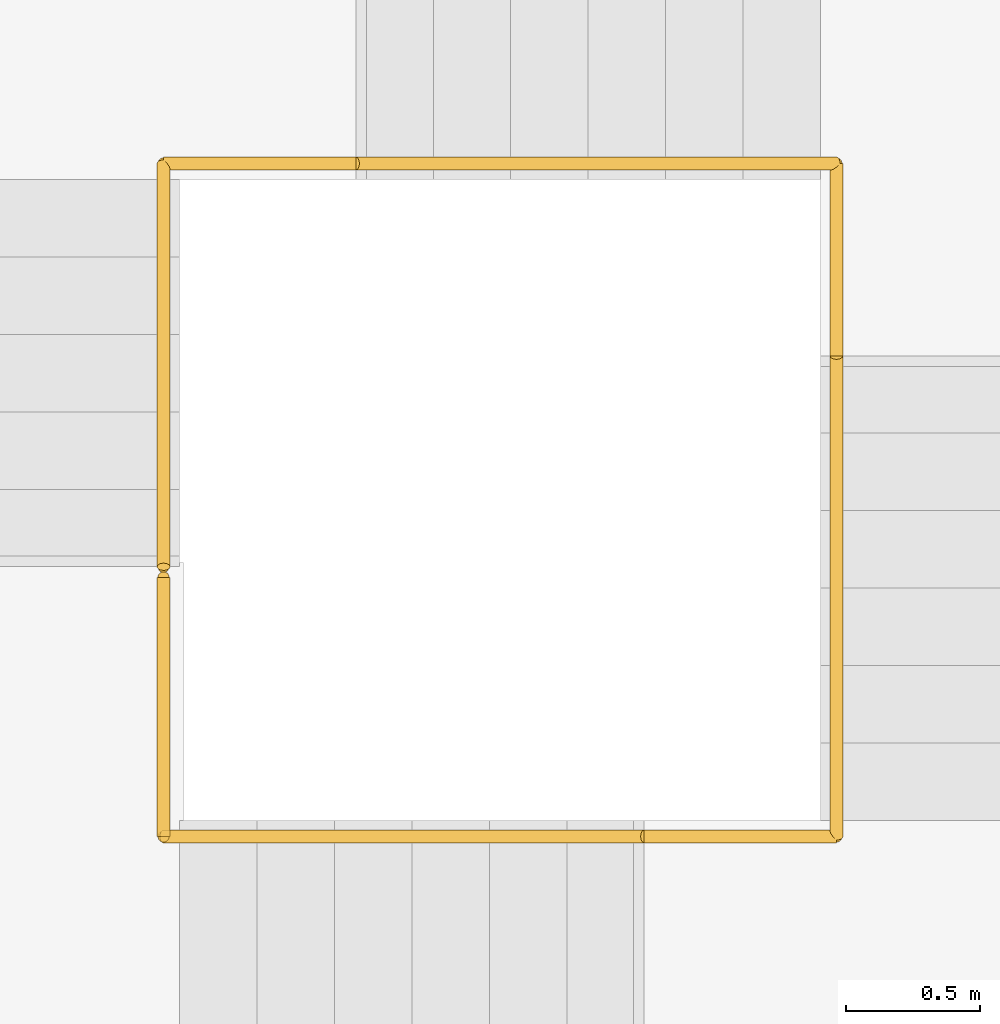
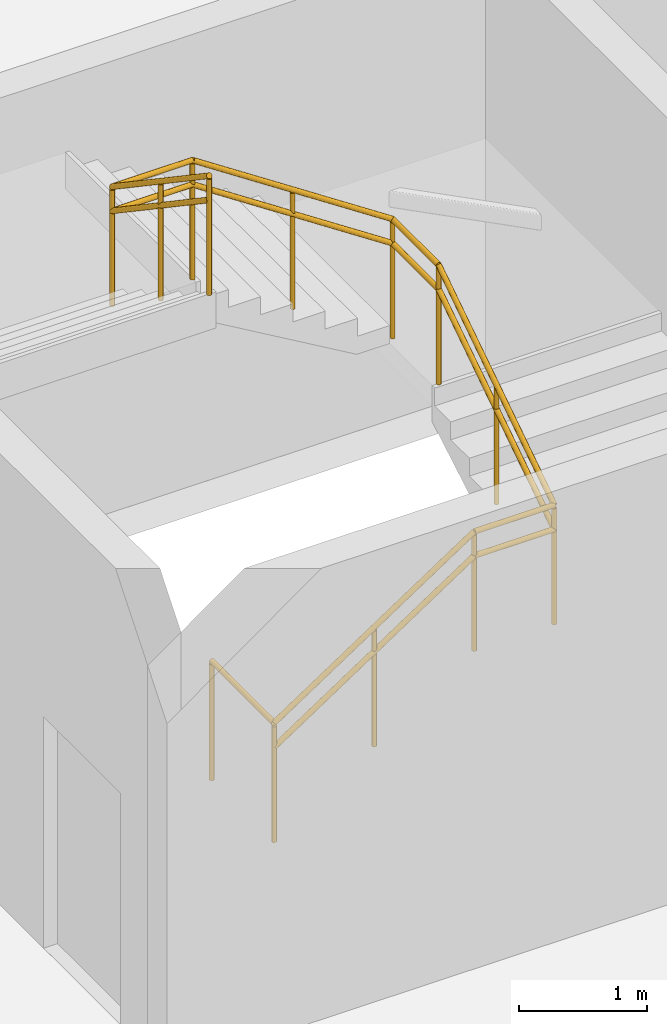
# One storey, part 32 of 32: 3 railings.
"""IFC4 building model written with IfcOpenShell, lengths in metres."""

from ifc_helpers import new_model, si_unit, direction, frame, origin, origin_2d, place, context, subcontext, project, spatial, circle, extrude, material, type_object, element, save


model = new_model("IFC4")

# Units and contexts
model_context = context("Model", 3, precision=1e-05, world=origin(), true_north=direction((0.0, 1.0)))
body_context = subcontext(model_context, "Body", "Model", "MODEL_VIEW")
ifc_project = project(units=[si_unit("LENGTHUNIT", "METRE"), si_unit("AREAUNIT", "SQUARE_METRE"), si_unit("VOLUMEUNIT", "CUBIC_METRE"), si_unit("PLANEANGLEUNIT", "RADIAN"), si_unit("MASSUNIT", "GRAM", prefix="KILO")], contexts=[model_context])

# Site, building, storey
site_placement = place(None, origin())
site = spatial("IfcSite", under=ifc_project, at=site_placement, CompositionType="ELEMENT")
building_placement = place(site_placement, origin())
building = spatial("IfcBuilding", under=site, at=building_placement, Name="Sillaruma Civic Art Gallery", CompositionType="ELEMENT")
storey_placement = place(building_placement, frame((0.0, 0.0, -4.590087890625)))
storey = spatial("IfcBuildingStorey", under=building, at=storey_placement, Name="B01", CompositionType="ELEMENT", Elevation=-4.590087890625)

# Railings
ifc_material = material(Name="Stainless Steel AISI 316", Category="steel")
railing_type_1 = type_object("IfcRailingType", Name="RAL-BAL-1150", PredefinedType="BALUSTRADE", material=ifc_material)
railing_1_placement = place(storey_placement, frame((144.139892578125, 13.3798828125, 0.0)))
element("IfcRailing", 1, at=railing_1_placement, inside=storey, type_object=railing_type_1, Name="Stair Floor Edge Guard (ST-05:B01)", PredefinedType="BALUSTRADE", context=body_context, shape_type="SweptSolid", body=[
    extrude(circle(Radius=0.02392578125, at=origin_2d()), frame((0.0, 0.0, 1.1259765625), z_axis=(0.0, 1.0, 0.0), x_axis=(-1.0, 0.0, 0.0)), (0.0, 0.0, 1.0), 0.97021484375),
    extrude(circle(Radius=0.02099609375, at=origin_2d()), origin(), (0.0, 0.0, 1.0), 1.101806640625),
    extrude(circle(Radius=0.02099609375, at=origin_2d()), frame((0.0, 0.97021484375, 0.0)), (0.0, 0.0, 1.0), 1.101806640625),
])
railing_2_placement = place(storey_placement, frame((144.139892578125, 13.3798828125, 0.0)))
element("IfcRailing", 2, at=railing_2_placement, inside=storey, type_object=railing_type_1, Name="Stair Well Balustrade (ST-05-B01)", PredefinedType="BALUSTRADE", context=body_context, shape_type="SweptSolid", body=[
    extrude(circle(Radius=0.02392578125, at=origin_2d()), frame((0.0, 0.0, 1.1259765625), z_axis=(0.834150363844, 0.0, 0.551537098025), x_axis=(0.0, 1.0, 0.0)), (0.0, 0.0, 1.0), 2.157958984375),
    extrude(circle(Radius=0.02392578125, at=origin_2d()), frame((1.800048828125, 0.0, 2.31591796875), z_axis=(1.0, 0.0, 0.0), x_axis=(0.0, 1.0, 0.0)), (0.0, 0.0, 1.0), 0.719970703125),
    extrude(circle(Radius=0.02392578125, at=origin_2d()), frame((2.52001953125, 0.0, 2.31591796875), z_axis=(0.0, 0.834202413191, 0.551458369984), x_axis=(-1.0, 0.0, 0.0)), (0.0, 0.0, 1.0), 2.15771484375),
    extrude(circle(Radius=0.02392578125, at=origin_2d()), frame((2.52001953125, 1.800048828125, 3.505859375), z_axis=(0.0, 1.0, 0.0), x_axis=(-1.0, 0.0, 0.0)), (0.0, 0.0, 1.0), 0.719970703125),
    extrude(circle(Radius=0.02392578125, at=origin_2d()), frame((2.52001953125, 2.52001953125, 3.505859375), z_axis=(-0.834168000855, 0.0, 0.551510422703), x_axis=(0.0, -1.0, 0.0)), (0.0, 0.0, 1.0), 2.15771484375),
    extrude(circle(Radius=0.02392578125, at=origin_2d()), frame((0.72021484375, 2.52001953125, 4.69580078125), z_axis=(-1.0, 0.0, 0.0), x_axis=(0.0, -1.0, 0.0)), (0.0, 0.0, 1.0), 0.72021484375),
    extrude(circle(Radius=0.02392578125, at=origin_2d()), frame((0.0, 2.52001953125, 4.69580078125), z_axis=(0.0, -0.828654473869, 0.559760451387), x_axis=(1.0, 0.0, 0.0)), (0.0, 0.0, 1.0), 1.822265625),
    extrude(circle(Radius=0.02099609375, at=origin_2d()), origin(), (0.0, 0.0, 1.0), 1.101806640625),
    extrude(circle(Radius=0.02099609375, at=origin_2d()), frame((0.89990234375, 0.0, 0.59521484375)), (0.0, 0.0, 1.0), 1.101806640625),
    extrude(circle(Radius=0.02099609375, at=origin_2d()), frame((1.800048828125, 0.0, 1.190185546875)), (0.0, 0.0, 1.0), 1.101806640625),
    extrude(circle(Radius=0.02099609375, at=origin_2d()), frame((2.52001953125, 0.0, 1.190185546875)), (0.0, 0.0, 1.0), 1.101806640625),
    extrude(circle(Radius=0.02099609375, at=origin_2d()), frame((2.52001953125, 0.89990234375, 1.78515625)), (0.0, 0.0, 1.0), 1.101806640625),
    extrude(circle(Radius=0.02099609375, at=origin_2d()), frame((2.52001953125, 1.800048828125, 2.380126953125)), (0.0, 0.0, 1.0), 1.101806640625),
    extrude(circle(Radius=0.02099609375, at=origin_2d()), frame((2.52001953125, 2.52001953125, 2.380126953125)), (0.0, 0.0, 1.0), 1.101806640625),
    extrude(circle(Radius=0.02099609375, at=origin_2d()), frame((1.6201171875, 2.52001953125, 2.97509765625)), (0.0, 0.0, 1.0), 1.101806640625),
    extrude(circle(Radius=0.02099609375, at=origin_2d()), frame((0.72021484375, 2.52001953125, 3.570068359375)), (0.0, 0.0, 1.0), 1.101806640625),
    extrude(circle(Radius=0.02099609375, at=origin_2d()), frame((0.0, 2.52001953125, 3.570068359375)), (0.0, 0.0, 1.0), 1.101806640625),
    extrude(circle(Radius=0.02099609375, at=origin_2d()), frame((0.0, 1.76513671875, 4.080078125)), (0.0, 0.0, 1.0), 1.101806640625),
    extrude(circle(Radius=0.02099609375, at=origin_2d()), frame((0.0, 1.010009765625, 4.590087890625)), (0.0, 0.0, 1.0), 1.101806640625),
])
railing_type_2 = type_object("IfcRailingType", Name="RAL-HND-920", PredefinedType="HANDRAIL", material=ifc_material)
railing_3_placement = place(storey_placement, frame((144.139892578125, 13.3798828125, 0.0)))
element("IfcRailing", 3, at=railing_3_placement, inside=storey, type_object=railing_type_2, Name="Stair Continuous Handrail (ST-05-B01)", PredefinedType="HANDRAIL", context=body_context, shape_type="SweptSolid", body=[
    extrude(circle(Radius=0.02392578125, at=origin_2d()), frame((0.0, 0.0, 0.89599609375), z_axis=(0.834150363844, 0.0, 0.551537098025), x_axis=(0.0, 1.0, 0.0)), (0.0, 0.0, 1.0), 2.157958984375),
    extrude(circle(Radius=0.02392578125, at=origin_2d()), frame((1.800048828125, 0.0, 2.0859375), z_axis=(1.0, 0.0, 0.0), x_axis=(0.0, 1.0, 0.0)), (0.0, 0.0, 1.0), 0.719970703125),
    extrude(circle(Radius=0.02392578125, at=origin_2d()), frame((2.52001953125, 0.0, 2.0859375), z_axis=(0.0, 0.834202413191, 0.551458369984), x_axis=(-1.0, 0.0, 0.0)), (0.0, 0.0, 1.0), 2.15771484375),
    extrude(circle(Radius=0.02392578125, at=origin_2d()), frame((2.52001953125, 1.800048828125, 3.27587890625), z_axis=(0.0, 1.0, 0.0), x_axis=(-1.0, 0.0, 0.0)), (0.0, 0.0, 1.0), 0.719970703125),
    extrude(circle(Radius=0.02392578125, at=origin_2d()), frame((2.52001953125, 2.52001953125, 3.27587890625), z_axis=(-0.834168000855, 0.0, 0.551510422703), x_axis=(0.0, -1.0, 0.0)), (0.0, 0.0, 1.0), 2.15771484375),
    extrude(circle(Radius=0.02392578125, at=origin_2d()), frame((0.72021484375, 2.52001953125, 4.4658203125), z_axis=(-1.0, 0.0, 0.0), x_axis=(0.0, -1.0, 0.0)), (0.0, 0.0, 1.0), 0.72021484375),
    extrude(circle(Radius=0.02392578125, at=origin_2d()), frame((0.0, 2.52001953125, 4.4658203125), z_axis=(0.0, -0.828654473869, 0.559760451387), x_axis=(1.0, 0.0, 0.0)), (0.0, 0.0, 1.0), 1.822265625),
    extrude(circle(Radius=0.02099609375, at=origin_2d()), origin(), (0.0, 0.0, 1.0), 0.871826171875),
    extrude(circle(Radius=0.02099609375, at=origin_2d()), frame((0.89990234375, 0.0, 0.59521484375)), (0.0, 0.0, 1.0), 0.871826171875),
    extrude(circle(Radius=0.02099609375, at=origin_2d()), frame((1.800048828125, 0.0, 1.190185546875)), (0.0, 0.0, 1.0), 0.871826171875),
    extrude(circle(Radius=0.02099609375, at=origin_2d()), frame((2.52001953125, 0.0, 1.190185546875)), (0.0, 0.0, 1.0), 0.871826171875),
    extrude(circle(Radius=0.02099609375, at=origin_2d()), frame((2.52001953125, 0.89990234375, 1.78515625)), (0.0, 0.0, 1.0), 0.871826171875),
    extrude(circle(Radius=0.02099609375, at=origin_2d()), frame((2.52001953125, 1.800048828125, 2.380126953125)), (0.0, 0.0, 1.0), 0.871826171875),
    extrude(circle(Radius=0.02099609375, at=origin_2d()), frame((2.52001953125, 2.52001953125, 2.380126953125)), (0.0, 0.0, 1.0), 0.871826171875),
    extrude(circle(Radius=0.02099609375, at=origin_2d()), frame((1.6201171875, 2.52001953125, 2.97509765625)), (0.0, 0.0, 1.0), 0.871826171875),
    extrude(circle(Radius=0.02099609375, at=origin_2d()), frame((0.72021484375, 2.52001953125, 3.570068359375)), (0.0, 0.0, 1.0), 0.871826171875),
    extrude(circle(Radius=0.02099609375, at=origin_2d()), frame((0.0, 2.52001953125, 3.570068359375)), (0.0, 0.0, 1.0), 0.871826171875),
    extrude(circle(Radius=0.02099609375, at=origin_2d()), frame((0.0, 1.76513671875, 4.080078125)), (0.0, 0.0, 1.0), 0.871826171875),
    extrude(circle(Radius=0.02099609375, at=origin_2d()), frame((0.0, 1.010009765625, 4.590087890625)), (0.0, 0.0, 1.0), 0.871826171875),
])

save(model, "model.ifc")
